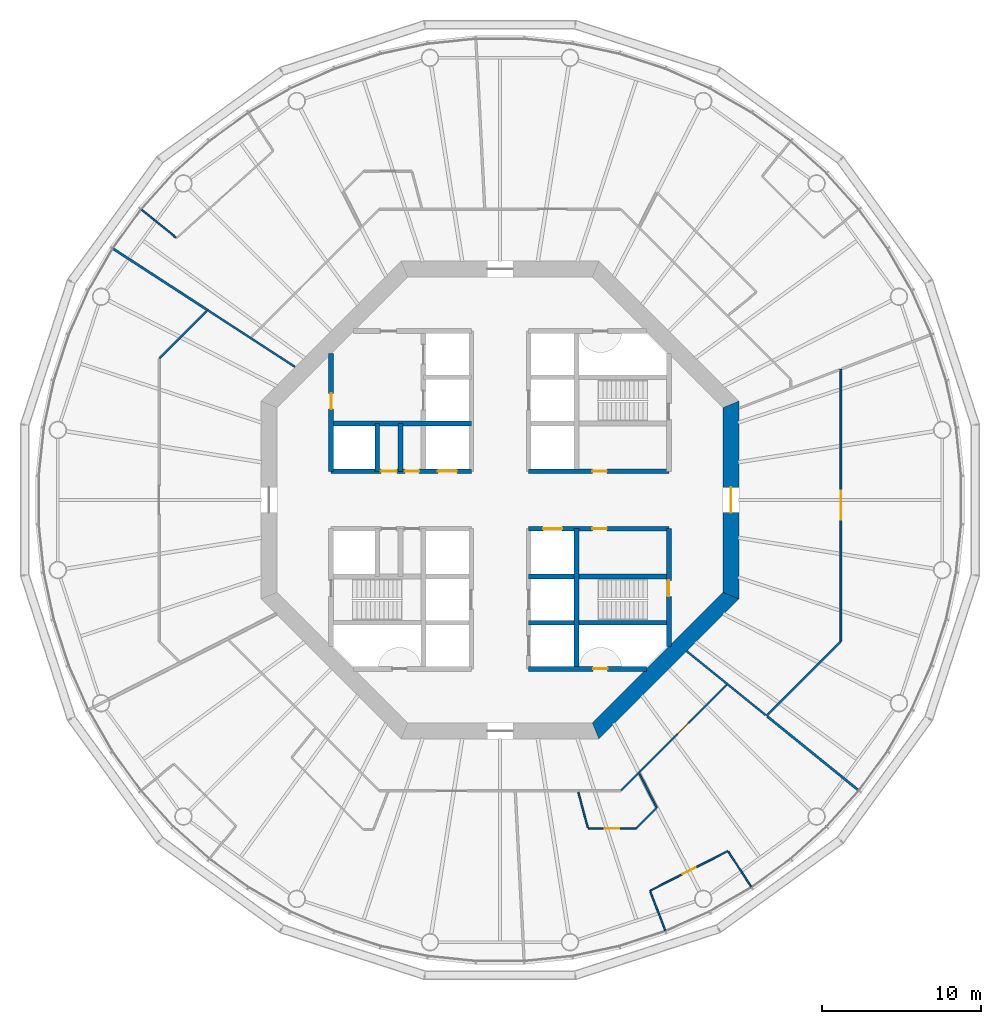
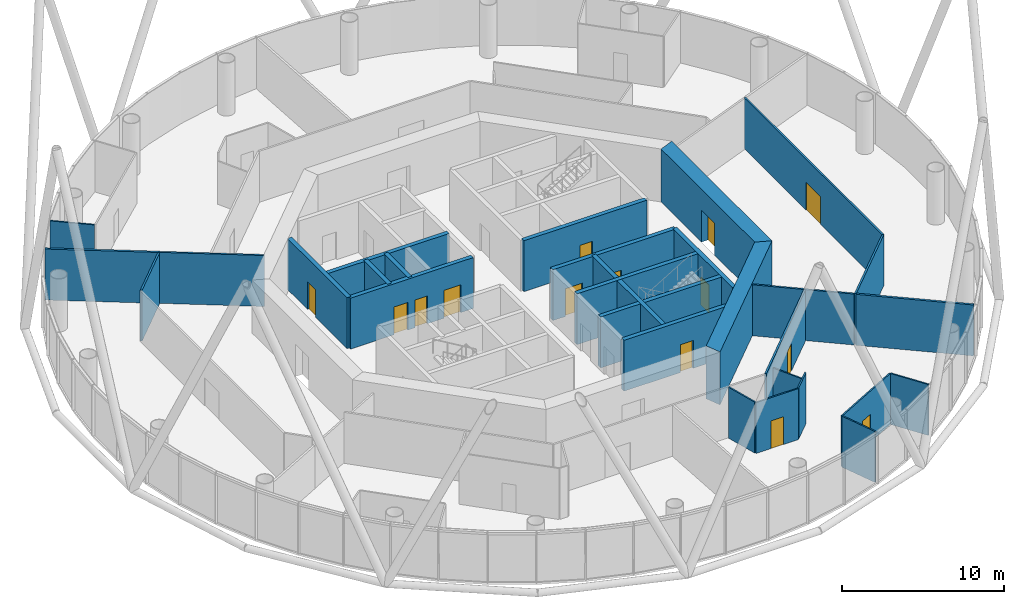
# One storey, part 4 of 13: 30 walls, 14 doors, 14 openings.
"""IFC4 building model written with IfcOpenShell, lengths in metres."""

from ifc_helpers import new_model, si_unit, direction, frame, frame_2d, origin, place, context, subcontext, project, spatial, polyline, rectangle, outline, extrude, material, layer, layer_set, type_object, element, fill, save


model = new_model("IFC4")

# Units and contexts
model_context = context("Model", 3, precision=1e-05, world=origin(), true_north=direction((0.0, 1.0)))
body_context = subcontext(model_context, "Body", "Model", "MODEL_VIEW")
ifc_project = project(units=[si_unit("LENGTHUNIT", "METRE"), si_unit("AREAUNIT", "SQUARE_METRE"), si_unit("VOLUMEUNIT", "CUBIC_METRE"), si_unit("PLANEANGLEUNIT", "RADIAN"), si_unit("MASSUNIT", "GRAM", prefix="KILO")], contexts=[model_context])

# Site, building, storey
site_placement = place(None, origin())
site = spatial("IfcSite", under=ifc_project, at=site_placement, CompositionType="ELEMENT")
building_placement = place(site_placement, origin())
building = spatial("IfcBuilding", under=site, at=building_placement, Name="Entoto Ring Tower", CompositionType="ELEMENT")
storey_placement = place(building_placement, frame((0.0, 0.0, 180.0)))
storey = spatial("IfcBuildingStorey", under=building, at=storey_placement, Name="L41", CompositionType="ELEMENT", Elevation=180.0)

# Wall, opening, door
ifc_material_1 = material(Name="Concrete C40/50", Category="concrete")
ifc_layer_1 = layer(ifc_material_1, 0.300048828125)
ifc_layer_set_1 = layer_set([ifc_layer_1], Name="Concrete C40/50")
wall_type_1 = type_object("IfcWallType", Name="Core enclosure wall 300 mm reinforced concrete", PredefinedType="SOLIDWALL", material=ifc_layer_set_1)
wall_1_placement = place(storey_placement, frame((100.60009765625, 70.801025390625, 0.0), z_axis=(0.0, 0.0, 1.0), x_axis=(0.0, 1.0, 0.0)))
wall_1 = element("IfcWall", 1, at=wall_1_placement, inside=storey, type_object=wall_type_1, Name="wall-L41-001", PredefinedType="SOLIDWALL", context=body_context, shape_type="SweptSolid", body=[
    extrude(rectangle(XDim=7.39892578125, YDim=0.300048828125, at=frame_2d((3.699462890625, 0.0))), origin(), (0.0, 0.0, 1.0), 3.85009765625),
])
opening_1_placement = place(wall_1_placement, frame((3.14892578125, 0.0, 0.0)))
opening_1 = element("IfcOpeningElement", 2, at=opening_1_placement, cuts=wall_1, Name="Opening K-61", PredefinedType="OPENING", context=body_context, shape_type="SweptSolid", body=[
    extrude(rectangle(XDim=1.0, YDim=2.10009765625, at=frame_2d((0.5, 1.050048828125))), frame((0.0, 0.16015625, 0.0), z_axis=(0.0, -1.0, 0.0), x_axis=(1.0, 0.0, 0.0)), (0.0, 0.0, 1.0), 0.320068359375),
])
ifc_material_2 = material(Name="Steel door leaf, fire rated", Category="steel")
ifc_layer_2 = layer(ifc_material_2, 0.050048828125)
ifc_layer_set_2 = layer_set([ifc_layer_2], Name="Steel door leaf, fire rated")
door_type_1 = type_object("IfcDoorType", Name="Fire door FD60 1000 x 2100 single leaf", OperationType="NOTDEFINED", PredefinedType="DOOR", material=ifc_layer_set_2)
door_1_placement = place(opening_1_placement, origin())
door_1 = element("IfcDoor", 3, at=door_1_placement, inside=storey, type_object=door_type_1, Name="Door K-61", OperationType="SINGLE_SWING_RIGHT", OverallHeight=2.10009765625, OverallWidth=1.0, PredefinedType="DOOR", context=body_context, shape_type="SweptSolid", body=[
    extrude(rectangle(XDim=1.0, YDim=2.10009765625, at=frame_2d((0.5, 1.050048828125))), frame((0.0, 0.02490234375, 0.0), z_axis=(0.0, -1.0, 0.0), x_axis=(1.0, 0.0, 0.0)), (0.0, 0.0, 1.0), 0.050048828125),
])
fill(opening_1, door_1)

# Walls
wall_2_placement = place(storey_placement, frame((94.800048828125, 69.39990234375, 0.0), z_axis=(0.0, 0.0, 1.0), x_axis=(0.0, 1.0, 0.0)))
element("IfcWall", 4, at=wall_2_placement, inside=storey, type_object=wall_type_1, Name="wall-L41-003", PredefinedType="SOLIDWALL", context=body_context, shape_type="SweptSolid", body=[
    extrude(rectangle(XDim=8.800048828125, YDim=0.300048828125, at=frame_2d((4.39990234375, 0.0))), origin(), (0.0, 0.0, 1.0), 3.85009765625),
])
for number, where, z_axis, x_axis, name in (
    (5, (83.75, 81.800048828125, 0.0), (0.0, 0.0, 1.0), (0.0, 1.0, 0.0), "wall-L41-012"),
    (6, (82.300048828125, 81.800048828125, 0.0), (0.0, 0.0, 1.0), (0.0, 1.0, 0.0), "wall-L41-014"),
):
    element("IfcWall", number, at=place(storey_placement, frame(where, z_axis=z_axis, x_axis=x_axis)), inside=storey, type_object=wall_type_1, Name=name, PredefinedType="SOLIDWALL", context=body_context, shape_type="SweptSolid", body=[
        extrude(rectangle(XDim=3.0, YDim=0.300048828125, at=frame_2d((1.5, 0.0))), origin(), (0.0, 0.0, 1.0), 3.85009765625),
    ])

# Wall, opening, door
wall_3_placement = place(storey_placement, frame((79.39990234375, 81.800048828125, 0.0), z_axis=(0.0, 0.0, 1.0), x_axis=(0.0, 1.0, 0.0)))
wall_3 = element("IfcWall", 7, at=wall_3_placement, inside=storey, type_object=wall_type_1, Name="wall-L41-016", PredefinedType="SOLIDWALL", context=body_context, shape_type="SweptSolid", body=[
    extrude(rectangle(XDim=7.39892578125, YDim=0.300048828125, at=frame_2d((3.699462890625, 0.0))), origin(), (0.0, 0.0, 1.0), 3.85009765625),
])
opening_2_placement = place(wall_3_placement, frame((3.89990234375, 0.0, 0.0)))
opening_2 = element("IfcOpeningElement", 8, at=opening_2_placement, cuts=wall_3, Name="Opening K-23", PredefinedType="OPENING", context=body_context, shape_type="SweptSolid", body=[
    extrude(rectangle(XDim=1.0, YDim=2.10009765625, at=frame_2d((0.5, 1.050048828125))), frame((0.0, 0.16015625, 0.0), z_axis=(0.0, -1.0, 0.0), x_axis=(1.0, 0.0, 0.0)), (0.0, 0.0, 1.0), 0.320068359375),
])
door_2_placement = place(opening_2_placement, frame((1.0, 0.0, 0.0), z_axis=(0.0, 0.0, 1.0), x_axis=(-1.0, 0.0, 0.0)))
door_2 = element("IfcDoor", 9, at=door_2_placement, inside=storey, type_object=door_type_1, Name="Door K-23", OperationType="SINGLE_SWING_RIGHT", OverallHeight=2.10009765625, OverallWidth=1.0, PredefinedType="DOOR", context=body_context, shape_type="SweptSolid", body=[
    extrude(rectangle(XDim=1.0, YDim=2.10009765625, at=frame_2d((0.5, 1.050048828125))), frame((0.0, 0.02490234375, 0.0), z_axis=(0.0, -1.0, 0.0), x_axis=(1.0, 0.0, 0.0)), (0.0, 0.0, 1.0), 0.050048828125),
])
fill(opening_2, door_2)

wall_4_placement = place(storey_placement, frame((91.800048828125, 69.39990234375, 0.0), z_axis=(0.0, 0.0, 1.0), x_axis=(1.0, 0.0, 0.0)))
wall_4 = element("IfcWall", 10, at=wall_4_placement, inside=storey, type_object=wall_type_1, Name="wall-L41-018", PredefinedType="SOLIDWALL", context=body_context, shape_type="SweptSolid", body=[
    extrude(rectangle(XDim=7.39892578125, YDim=0.300048828125, at=frame_2d((3.699462890625, 0.0))), origin(), (0.0, 0.0, 1.0), 3.85009765625),
])
opening_3_placement = place(wall_4_placement, frame((4.050048828125, 0.0, 0.0)))
opening_3 = element("IfcOpeningElement", 11, at=opening_3_placement, cuts=wall_4, Name="Opening K-68", PredefinedType="OPENING", context=body_context, shape_type="SweptSolid", body=[
    extrude(rectangle(XDim=0.89990234375, YDim=2.10009765625, at=frame_2d((0.449951171875, 1.050048828125))), frame((0.0, 0.16015625, 0.0), z_axis=(0.0, -1.0, 0.0), x_axis=(1.0, 0.0, 0.0)), (0.0, 0.0, 1.0), 0.320068359375),
])
ifc_material_3 = material(Name="Steel door leaf, fire rated", Category="steel")
ifc_layer_3 = layer(ifc_material_3, 0.050048828125)
ifc_layer_set_3 = layer_set([ifc_layer_3], Name="Steel door leaf, fire rated")
door_type_2 = type_object("IfcDoorType", Name="Riser door FD60 900 x 2100 single leaf", OperationType="NOTDEFINED", PredefinedType="DOOR", material=ifc_layer_set_3)
door_3_placement = place(opening_3_placement, origin())
door_3 = element("IfcDoor", 12, at=door_3_placement, inside=storey, type_object=door_type_2, Name="Door K-68", OperationType="SINGLE_SWING_LEFT", OverallHeight=2.10009765625, OverallWidth=0.89990234375, PredefinedType="DOOR", context=body_context, shape_type="SweptSolid", body=[
    extrude(rectangle(XDim=0.89990234375, YDim=2.10009765625, at=frame_2d((0.449951171875, 1.050048828125))), frame((0.0, 0.02490234375, 0.0), z_axis=(0.0, -1.0, 0.0), x_axis=(1.0, 0.0, 0.0)), (0.0, 0.0, 1.0), 0.050048828125),
])
fill(opening_3, door_3)

# Walls
for number, where, z_axis, x_axis, name in (
    (13, (91.800048828125, 72.300048828125, 0.0), (0.0, 0.0, 1.0), (1.0, 0.0, 0.0), "wall-L41-020"),
    (14, (91.800048828125, 75.199951171875, 0.0), (0.0, 0.0, 1.0), (1.0, 0.0, 0.0), "wall-L41-022"),
):
    element("IfcWall", number, at=place(storey_placement, frame(where, z_axis=z_axis, x_axis=x_axis)), inside=storey, type_object=wall_type_1, Name=name, PredefinedType="SOLIDWALL", context=body_context, shape_type="SweptSolid", body=[
        extrude(rectangle(XDim=8.800048828125, YDim=0.300048828125, at=frame_2d((4.39990234375, 0.0))), origin(), (0.0, 0.0, 1.0), 3.85009765625),
    ])

# Wall, openings, doors
wall_5_placement = place(storey_placement, frame((91.800048828125, 78.199951171875, 0.0), z_axis=(0.0, 0.0, 1.0), x_axis=(1.0, 0.0, 0.0)))
wall_5 = element("IfcWall", 15, at=wall_5_placement, inside=storey, type_object=wall_type_1, Name="wall-L41-024", PredefinedType="SOLIDWALL", context=body_context, shape_type="SweptSolid", body=[
    extrude(rectangle(XDim=8.800048828125, YDim=0.300048828125, at=frame_2d((4.39990234375, 0.0))), origin(), (0.0, 0.0, 1.0), 3.85009765625),
])
opening_4_placement = place(wall_5_placement, frame((0.89990234375, 0.0, 0.0)))
opening_4 = element("IfcOpeningElement", 16, at=opening_4_placement, cuts=wall_5, Name="Opening LD", PredefinedType="OPENING", context=body_context, shape_type="SweptSolid", body=[
    extrude(rectangle(XDim=1.199951171875, YDim=2.10009765625, at=frame_2d((0.60009765625, 1.050048828125))), frame((0.0, 0.16015625, 0.0), z_axis=(0.0, -1.0, 0.0), x_axis=(1.0, 0.0, 0.0)), (0.0, 0.0, 1.0), 0.320068359375),
])
opening_5_placement = place(wall_5_placement, frame((4.0, 0.0, 0.0)))
opening_5 = element("IfcOpeningElement", 17, at=opening_5_placement, cuts=wall_5, Name="Opening K-12", PredefinedType="OPENING", context=body_context, shape_type="SweptSolid", body=[
    extrude(rectangle(XDim=0.89990234375, YDim=2.10009765625, at=frame_2d((0.449951171875, 1.050048828125))), frame((0.0, 0.16015625, 0.0), z_axis=(0.0, -1.0, 0.0), x_axis=(1.0, 0.0, 0.0)), (0.0, 0.0, 1.0), 0.320068359375),
])
ifc_material_4 = material(Name="Steel door leaf, fire rated", Category="steel")
ifc_layer_4 = layer(ifc_material_4, 0.050048828125)
ifc_layer_set_4 = layer_set([ifc_layer_4], Name="Steel door leaf, fire rated")
door_type_3 = type_object("IfcDoorType", Name="Core door 900 x 2100 single leaf", OperationType="NOTDEFINED", PredefinedType="DOOR", material=ifc_layer_set_4)
door_4_placement = place(opening_5_placement, frame((0.89990234375, 0.0, 0.0), z_axis=(0.0, 0.0, 1.0), x_axis=(-1.0, 0.0, 0.0)))
door_4 = element("IfcDoor", 18, at=door_4_placement, inside=storey, type_object=door_type_3, Name="Door K-12", OperationType="SINGLE_SWING_RIGHT", OverallHeight=2.10009765625, OverallWidth=0.89990234375, PredefinedType="DOOR", context=body_context, shape_type="SweptSolid", body=[
    extrude(rectangle(XDim=0.89990234375, YDim=2.10009765625, at=frame_2d((0.449951171875, 1.050048828125))), frame((0.0, 0.02490234375, 0.0), z_axis=(0.0, -1.0, 0.0), x_axis=(1.0, 0.0, 0.0)), (0.0, 0.0, 1.0), 0.050048828125),
])
fill(opening_5, door_4)
ifc_material_5 = material(Name="Steel and glass door leaf", Category="steel")
ifc_layer_5 = layer(ifc_material_5, 0.050048828125)
ifc_layer_set_5 = layer_set([ifc_layer_5], Name="Steel and glass door leaf")
door_type_4 = type_object("IfcDoorType", Name="Landing door 1200 x 2100 sliding", OperationType="DOUBLE_DOOR_SLIDING", PredefinedType="DOOR", material=ifc_layer_set_5)
door_5_placement = place(opening_4_placement, origin())
door_5 = element("IfcDoor", 19, at=door_5_placement, inside=storey, type_object=door_type_4, Name="Landing door LB6-MR", OperationType="SLIDING_TO_LEFT", OverallHeight=2.10009765625, OverallWidth=1.199951171875, PredefinedType="DOOR", context=body_context, shape_type="SweptSolid", body=[
    extrude(rectangle(XDim=1.199951171875, YDim=2.10009765625, at=frame_2d((0.60009765625, 1.050048828125))), frame((0.0, 0.02490234375, 0.0), z_axis=(0.0, -1.0, 0.0), x_axis=(1.0, 0.0, 0.0)), (0.0, 0.0, 1.0), 0.050048828125),
])
fill(opening_4, door_5)

wall_6_placement = place(storey_placement, frame((79.39990234375, 81.800048828125, 0.0), z_axis=(0.0, 0.0, 1.0), x_axis=(1.0, 0.0, 0.0)))
wall_6 = element("IfcWall", 20, at=wall_6_placement, inside=storey, type_object=wall_type_1, Name="wall-L41-025", PredefinedType="SOLIDWALL", context=body_context, shape_type="SweptSolid", body=[
    extrude(rectangle(XDim=8.800048828125, YDim=0.300048828125, at=frame_2d((4.39990234375, 0.0))), origin(), (0.0, 0.0, 1.0), 3.85009765625),
])
opening_6_placement = place(wall_6_placement, frame((6.699951171875, 0.0, 0.0)))
opening_6 = element("IfcOpeningElement", 21, at=opening_6_placement, cuts=wall_6, Name="Opening LD", PredefinedType="OPENING", context=body_context, shape_type="SweptSolid", body=[
    extrude(rectangle(XDim=1.199951171875, YDim=2.10009765625, at=frame_2d((0.60009765625, 1.050048828125))), frame((0.0, 0.16015625, 0.0), z_axis=(0.0, -1.0, 0.0), x_axis=(1.0, 0.0, 0.0)), (0.0, 0.0, 1.0), 0.320068359375),
])
opening_7_placement = place(wall_6_placement, frame((3.125, 0.0, 0.0)))
opening_7 = element("IfcOpeningElement", 22, at=opening_7_placement, cuts=wall_6, Name="Opening K-13", PredefinedType="OPENING", context=body_context, shape_type="SweptSolid", body=[
    extrude(rectangle(XDim=1.0, YDim=2.10009765625, at=frame_2d((0.5, 1.050048828125))), frame((0.0, 0.16015625, 0.0), z_axis=(0.0, -1.0, 0.0), x_axis=(1.0, 0.0, 0.0)), (0.0, 0.0, 1.0), 0.320068359375),
])
opening_8_placement = place(wall_6_placement, frame((4.625, 0.0, 0.0)))
opening_8 = element("IfcOpeningElement", 23, at=opening_8_placement, cuts=wall_6, Name="Opening K-14", PredefinedType="OPENING", context=body_context, shape_type="SweptSolid", body=[
    extrude(rectangle(XDim=0.89990234375, YDim=2.10009765625, at=frame_2d((0.449951171875, 1.050048828125))), frame((0.0, 0.16015625, 0.0), z_axis=(0.0, -1.0, 0.0), x_axis=(1.0, 0.0, 0.0)), (0.0, 0.0, 1.0), 0.320068359375),
])
ifc_material_6 = material(Name="Steel door leaf, fire rated", Category="steel")
ifc_layer_6 = layer(ifc_material_6, 0.050048828125)
ifc_layer_set_6 = layer_set([ifc_layer_6], Name="Steel door leaf, fire rated")
door_type_5 = type_object("IfcDoorType", Name="Accessible door 1000 x 2100 single leaf", OperationType="NOTDEFINED", PredefinedType="DOOR", material=ifc_layer_set_6)
door_6_placement = place(opening_7_placement, origin())
door_6 = element("IfcDoor", 24, at=door_6_placement, inside=storey, type_object=door_type_5, Name="Door K-13", OperationType="SINGLE_SWING_RIGHT", OverallHeight=2.10009765625, OverallWidth=1.0, PredefinedType="DOOR", context=body_context, shape_type="SweptSolid", body=[
    extrude(rectangle(XDim=1.0, YDim=2.10009765625, at=frame_2d((0.5, 1.050048828125))), frame((0.0, 0.02490234375, 0.0), z_axis=(0.0, -1.0, 0.0), x_axis=(1.0, 0.0, 0.0)), (0.0, 0.0, 1.0), 0.050048828125),
])
fill(opening_7, door_6)
door_7_placement = place(opening_8_placement, origin())
door_7 = element("IfcDoor", 25, at=door_7_placement, inside=storey, type_object=door_type_3, Name="Door K-14", OperationType="SINGLE_SWING_RIGHT", OverallHeight=2.10009765625, OverallWidth=0.89990234375, PredefinedType="DOOR", context=body_context, shape_type="SweptSolid", body=[
    extrude(rectangle(XDim=0.89990234375, YDim=2.10009765625, at=frame_2d((0.449951171875, 1.050048828125))), frame((0.0, 0.02490234375, 0.0), z_axis=(0.0, -1.0, 0.0), x_axis=(1.0, 0.0, 0.0)), (0.0, 0.0, 1.0), 0.050048828125),
])
fill(opening_8, door_7)
door_8_placement = place(opening_6_placement, origin())
door_8 = element("IfcDoor", 26, at=door_8_placement, inside=storey, type_object=door_type_4, Name="Landing door LB5-MR", OperationType="SLIDING_TO_LEFT", OverallHeight=2.10009765625, OverallWidth=1.199951171875, PredefinedType="DOOR", context=body_context, shape_type="SweptSolid", body=[
    extrude(rectangle(XDim=1.199951171875, YDim=2.10009765625, at=frame_2d((0.60009765625, 1.050048828125))), frame((0.0, 0.02490234375, 0.0), z_axis=(0.0, -1.0, 0.0), x_axis=(1.0, 0.0, 0.0)), (0.0, 0.0, 1.0), 0.050048828125),
])
fill(opening_6, door_8)

# Wall, opening, door
wall_7_placement = place(storey_placement, frame((91.800048828125, 81.800048828125, 0.0), z_axis=(0.0, 0.0, 1.0), x_axis=(1.0, 0.0, 0.0)))
wall_7 = element("IfcWall", 27, at=wall_7_placement, inside=storey, type_object=wall_type_1, Name="wall-L41-026", PredefinedType="SOLIDWALL", context=body_context, shape_type="SweptSolid", body=[
    extrude(rectangle(XDim=8.800048828125, YDim=0.300048828125, at=frame_2d((4.39990234375, 0.0))), origin(), (0.0, 0.0, 1.0), 3.85009765625),
])
opening_9_placement = place(wall_7_placement, frame((4.0, 0.0, 0.0)))
opening_9 = element("IfcOpeningElement", 28, at=opening_9_placement, cuts=wall_7, Name="Opening K-11", PredefinedType="OPENING", context=body_context, shape_type="SweptSolid", body=[
    extrude(rectangle(XDim=0.89990234375, YDim=2.10009765625, at=frame_2d((0.449951171875, 1.050048828125))), frame((0.0, 0.16015625, 0.0), z_axis=(0.0, -1.0, 0.0), x_axis=(1.0, 0.0, 0.0)), (0.0, 0.0, 1.0), 0.320068359375),
])
door_9_placement = place(opening_9_placement, origin())
door_9 = element("IfcDoor", 29, at=door_9_placement, inside=storey, type_object=door_type_3, Name="Door K-11", OperationType="SINGLE_SWING_LEFT", OverallHeight=2.10009765625, OverallWidth=0.89990234375, PredefinedType="DOOR", context=body_context, shape_type="SweptSolid", body=[
    extrude(rectangle(XDim=0.89990234375, YDim=2.10009765625, at=frame_2d((0.449951171875, 1.050048828125))), frame((0.0, 0.02490234375, 0.0), z_axis=(0.0, -1.0, 0.0), x_axis=(1.0, 0.0, 0.0)), (0.0, 0.0, 1.0), 0.050048828125),
])
fill(opening_9, door_9)

# Wall
wall_8_placement = place(storey_placement, frame((79.39990234375, 84.800048828125, 0.0), z_axis=(0.0, 0.0, 1.0), x_axis=(1.0, 0.0, 0.0)))
element("IfcWall", 30, at=wall_8_placement, inside=storey, type_object=wall_type_1, Name="wall-L41-027", PredefinedType="SOLIDWALL", context=body_context, shape_type="SweptSolid", body=[
    extrude(rectangle(XDim=8.800048828125, YDim=0.300048828125, at=frame_2d((4.39990234375, 0.0))), origin(), (0.0, 0.0, 1.0), 3.85009765625),
])

# Wall, opening, door
ifc_material_7 = material(Name="Concrete C50/60", Category="concrete")
ifc_layer_7 = layer(ifc_material_7, 1.0)
ifc_layer_set_7 = layer_set([ifc_layer_7], Name="Concrete C50/60")
wall_type_2 = type_object("IfcWallType", Name="Core shear wall 1000 mm reinforced concrete C50/60", PredefinedType="SHEAR", material=ifc_layer_set_7)
wall_9_placement = place(storey_placement, frame((104.5, 73.993896484375, 0.0), z_axis=(0.0, 0.0, 1.0), x_axis=(0.0, 1.0, 0.0)))
wall_9 = element("IfcWall", 31, at=wall_9_placement, inside=storey, type_object=wall_type_2, Name="wall-L41-core-0", PredefinedType="SHEAR", context=body_context, shape_type="SweptSolid", body=[
    extrude(outline(polyline([(-0.20703125, -0.5), (12.21923828125, -0.5), (11.80517578125, 0.5), (0.20703125, 0.5), (-0.20703125, -0.5)])), origin(), (0.0, 0.0, 1.0), 4.0),
])
opening_10_placement = place(wall_9_placement, frame((5.2060546875, 0.0, 0.0)))
opening_10 = element("IfcOpeningElement", 32, at=opening_10_placement, cuts=wall_9, Name="Opening K-01", PredefinedType="OPENING", context=body_context, shape_type="SweptSolid", body=[
    extrude(rectangle(XDim=1.60009765625, YDim=2.39990234375, at=frame_2d((0.800048828125, 1.199951171875))), frame((0.0, 0.510009765625, 0.0), z_axis=(0.0, -1.0, 0.0), x_axis=(1.0, 0.0, 0.0)), (0.0, 0.0, 1.0), 1.02001953125),
])
ifc_material_8 = material(Name="Steel door leaf, fire rated", Category="steel")
ifc_layer_8 = layer(ifc_material_8, 0.050048828125)
ifc_layer_set_8 = layer_set([ifc_layer_8], Name="Steel door leaf, fire rated")
door_type_6 = type_object("IfcDoorType", Name="Entrance door FD60 1600 x 2400 double leaf", OperationType="DOUBLE_DOOR_SINGLE_SWING", PredefinedType="DOOR", material=ifc_layer_set_8)
door_10_placement = place(opening_10_placement, origin())
door_10 = element("IfcDoor", 33, at=door_10_placement, inside=storey, type_object=door_type_6, Name="Entrance door K-01", OperationType="DOUBLE_DOOR_SINGLE_SWING", OverallHeight=2.39990234375, OverallWidth=1.60009765625, PredefinedType="DOOR", context=body_context, shape_type="SweptSolid", body=[
    extrude(rectangle(XDim=1.60009765625, YDim=2.39990234375, at=frame_2d((0.800048828125, 1.199951171875))), frame((0.0, 0.02490234375, 0.0), z_axis=(0.0, -1.0, 0.0), x_axis=(1.0, 0.0, 0.0)), (0.0, 0.0, 1.0), 0.050048828125),
])
fill(opening_10, door_10)

# Wall
wall_10_placement = place(storey_placement, frame((96.006103515625, 65.5, 0.0), z_axis=(0.0, 0.0, 1.0), x_axis=(0.707106781187, 0.707106781187, 0.0)))
element("IfcWall", 34, at=wall_10_placement, inside=storey, type_object=wall_type_2, Name="wall-L41-core-7", PredefinedType="SHEAR", context=body_context, shape_type="SweptSolid", body=[
    extrude(outline(polyline([(-0.20703125, -0.5), (12.21923828125, -0.5), (11.80517578125, 0.5), (0.20703125, 0.5), (-0.20703125, -0.5)])), origin(), (0.0, 0.0, 1.0), 4.0),
])

# Wall, opening, door
ifc_material_9 = material(Name="Fire-resisting plasterboard on steel studs", Category="steel")
ifc_layer_9 = layer(ifc_material_9, 0.125)
ifc_layer_set_9 = layer_set([ifc_layer_9], Name="Fire-resisting plasterboard on steel studs")
wall_type_3 = type_object("IfcWallType", Name="Corridor wall 125 mm one-hour plasterboard on steel studs", PredefinedType="PARTITIONING", material=ifc_layer_set_9)
wall_11_placement = place(storey_placement, frame((111.39990234375, 71.1357421875, 0.0), z_axis=(0.0, 0.0, 1.0), x_axis=(0.0, 1.0, 0.0)))
wall_11 = element("IfcWall", 35, at=wall_11_placement, inside=storey, type_object=wall_type_3, Name="partition-L41-002", PredefinedType="PARTITIONING", context=body_context, shape_type="SweptSolid", body=[
    extrude(rectangle(XDim=17.078857421875, YDim=0.125, at=frame_2d((8.53955078125, 0.0))), origin(), (0.0, 0.0, 1.0), 3.85009765625),
])
opening_11_placement = place(wall_11_placement, frame((7.639404296875, 0.0, 0.0)))
opening_11 = element("IfcOpeningElement", 36, at=opening_11_placement, cuts=wall_11, Name="Opening A18-D01", PredefinedType="OPENING", context=body_context, shape_type="SweptSolid", body=[
    extrude(rectangle(XDim=1.800048828125, YDim=2.10009765625, at=frame_2d((0.89990234375, 1.050048828125))), frame((0.0, 0.072509765625, 0.0), z_axis=(0.0, -1.0, 0.0), x_axis=(1.0, 0.0, 0.0)), (0.0, 0.0, 1.0), 0.14501953125),
])
ifc_material_10 = material(Name="Fire-resisting timber door set", Category="wood")
door_type_7 = type_object("IfcDoorType", Name="Door 1800 x 2100 double leaf FD30S fire door", OperationType="DOUBLE_DOOR_SINGLE_SWING", PredefinedType="DOOR", material=ifc_material_10)
door_11_placement = place(opening_11_placement, frame((1.800048828125, 0.0, 0.0), z_axis=(0.0, 0.0, 1.0), x_axis=(-1.0, 0.0, 0.0)))
door_11 = element("IfcDoor", 37, at=door_11_placement, inside=storey, type_object=door_type_7, Name="Door A18-D01", OperationType="DOUBLE_DOOR_SINGLE_SWING", OverallHeight=2.10009765625, OverallWidth=1.800048828125, PredefinedType="DOOR", context=body_context, shape_type="SweptSolid", body=[
    extrude(rectangle(XDim=1.800048828125, YDim=2.10009765625, at=frame_2d((0.89990234375, 1.050048828125))), frame((0.0, 0.02490234375, 0.0), z_axis=(0.0, -1.0, 0.0), x_axis=(1.0, 0.0, 0.0)), (0.0, 0.0, 1.0), 0.050048828125),
])
fill(opening_11, door_11)

wall_12_placement = place(storey_placement, frame((97.595703125, 61.7685546875, 0.0), z_axis=(0.0, 0.0, 1.0), x_axis=(0.707093754284, 0.707119807849, 0.0)))
wall_12 = element("IfcWall", 38, at=wall_12_placement, inside=storey, type_object=wall_type_3, Name="partition-L41-008", PredefinedType="PARTITIONING", context=body_context, shape_type="SweptSolid", body=[
    extrude(rectangle(XDim=9.37060546875, YDim=0.125, at=frame_2d((4.685302734375, 0.0))), origin(), (0.0, 0.0, 1.0), 3.85009765625),
])
opening_12_placement = place(wall_12_placement, frame((5.013427734375, 0.0, 0.0)))
opening_12 = element("IfcOpeningElement", 39, at=opening_12_placement, cuts=wall_12, Name="Opening A18-D12", PredefinedType="OPENING", context=body_context, shape_type="SweptSolid", body=[
    extrude(rectangle(XDim=1.0, YDim=2.10009765625, at=frame_2d((0.5, 1.050048828125))), frame((0.0, 0.072509765625, 0.0), z_axis=(0.0, -1.0, 0.0), x_axis=(1.0, 0.0, 0.0)), (0.0, 0.0, 1.0), 0.14501953125),
])
ifc_material_11 = material(Name="Fire-resisting timber door set", Category="wood")
door_type_8 = type_object("IfcDoorType", Name="Door 1000 x 2100 single leaf FD30S fire door", OperationType="NOTDEFINED", PredefinedType="DOOR", material=ifc_material_11)
door_12_placement = place(opening_12_placement, frame((1.0, 0.0, 0.0), z_axis=(0.0, 0.0, 1.0), x_axis=(-1.0, 0.0, 0.0)))
door_12 = element("IfcDoor", 40, at=door_12_placement, inside=storey, type_object=door_type_8, Name="Door A18-D12", OperationType="SINGLE_SWING_LEFT", OverallHeight=2.10009765625, OverallWidth=1.0, PredefinedType="DOOR", context=body_context, shape_type="SweptSolid", body=[
    extrude(rectangle(XDim=1.0, YDim=2.10009765625, at=frame_2d((0.5, 1.050048828125))), frame((0.0, 0.02490234375, 0.0), z_axis=(0.0, -1.0, 0.0), x_axis=(1.0, 0.0, 0.0)), (0.0, 0.0, 1.0), 0.050048828125),
])
fill(opening_12, door_12)

# Walls
wall_13_placement = place(storey_placement, frame((106.722412109375, 66.45849609375, 0.0), z_axis=(0.0, 0.0, 1.0), x_axis=(0.707125358217, 0.707088203668, 0.0)))
element("IfcWall", 41, at=wall_13_placement, inside=storey, type_object=wall_type_3, Name="partition-L41-011", PredefinedType="PARTITIONING", context=body_context, shape_type="SweptSolid", body=[
    extrude(rectangle(XDim=6.571044921875, YDim=0.125, at=frame_2d((3.28564453125, 0.0))), origin(), (0.0, 0.0, 1.0), 3.85009765625),
])
wall_14_placement = place(storey_placement, frame((77.138916015625, 88.35205078125, 0.0), z_axis=(0.0, 0.0, 1.0), x_axis=(-0.838654973698, 0.544663047298, 0.0)))
element("IfcWall", 42, at=wall_14_placement, inside=storey, type_object=wall_type_3, Name="partition-L41-012", PredefinedType="PARTITIONING", context=body_context, shape_type="SweptSolid", body=[
    extrude(rectangle(XDim=6.54296875, YDim=0.125, at=frame_2d((3.271484375, 0.0))), origin(), (0.0, 0.0, 1.0), 3.85009765625),
])
wall_15_placement = place(storey_placement, frame((106.67431640625, 66.49755859375, 0.0), z_axis=(0.0, 0.0, 1.0), x_axis=(-0.777147622925, 0.629318339302, 0.0)))
element("IfcWall", 43, at=wall_15_placement, inside=storey, type_object=wall_type_3, Name="partition-L41-013", PredefinedType="PARTITIONING", context=body_context, shape_type="SweptSolid", body=[
    extrude(rectangle(XDim=6.373046875, YDim=0.125, at=frame_2d((3.1865234375, 0.0))), origin(), (0.0, 0.0, 1.0), 3.85009765625),
])
wall_16_placement = place(storey_placement, frame((68.631103515625, 88.895263671875, 0.0), z_axis=(0.0, 0.0, 1.0), x_axis=(0.707106781187, 0.707106781187, 0.0)))
element("IfcWall", 44, at=wall_16_placement, inside=storey, type_object=wall_type_3, Name="partition-L41-014", PredefinedType="PARTITIONING", context=body_context, shape_type="SweptSolid", body=[
    extrude(rectangle(XDim=4.181640625, YDim=0.125, at=frame_2d((2.0908203125, 0.0))), origin(), (0.0, 0.0, 1.0), 3.85009765625),
])

# Wall, opening, door
ifc_material_12 = material(Name="Plasterboard on steel studs", Category="steel")
ifc_layer_10 = layer(ifc_material_12, 0.10009765625)
ifc_layer_set_10 = layer_set([ifc_layer_10], Name="Plasterboard on steel studs")
wall_type_4 = type_object("IfcWallType", Name="Partition 100 mm plasterboard on steel studs", PredefinedType="PARTITIONING", material=ifc_layer_set_10)
wall_17_placement = place(storey_placement, frame((99.414306640625, 55.474853515625, 0.0), z_axis=(0.0, 0.0, 1.0), x_axis=(0.891014051246, 0.453975726754, 0.0)))
wall_17 = element("IfcWall", 45, at=wall_17_placement, inside=storey, type_object=wall_type_4, Name="partition-L41-027", PredefinedType="PARTITIONING", context=body_context, shape_type="SweptSolid", body=[
    extrude(rectangle(XDim=5.491943359375, YDim=0.10009765625, at=frame_2d((2.74609375, 0.0))), origin(), (0.0, 0.0, 1.0), 3.85009765625),
])
opening_13_placement = place(wall_17_placement, frame((2.2958984375, 0.0, 0.0)))
opening_13 = element("IfcOpeningElement", 46, at=opening_13_placement, cuts=wall_17, Name="Opening A18-D14", PredefinedType="OPENING", context=body_context, shape_type="SweptSolid", body=[
    extrude(rectangle(XDim=0.89990234375, YDim=2.10009765625, at=frame_2d((0.449951171875, 1.050048828125))), frame((0.0, 0.06005859375, 0.0), z_axis=(0.0, -1.0, 0.0), x_axis=(1.0, 0.0, 0.0)), (0.0, 0.0, 1.0), 0.1201171875),
])
ifc_material_13 = material(Name="Veneered timber door leaf in timber frame", Category="wood")
door_type_9 = type_object("IfcDoorType", Name="Door 900 x 2100 single leaf timber veneer", OperationType="NOTDEFINED", PredefinedType="DOOR", material=ifc_material_13)
door_13_placement = place(opening_13_placement, frame((0.89990234375, 0.0, 0.0), z_axis=(0.0, 0.0, 1.0), x_axis=(-1.0, 0.0, 0.0)))
door_13 = element("IfcDoor", 47, at=door_13_placement, inside=storey, type_object=door_type_9, Name="Door A18-D14", OperationType="SINGLE_SWING_LEFT", OverallHeight=2.10009765625, OverallWidth=0.89990234375, PredefinedType="DOOR", context=body_context, shape_type="SweptSolid", body=[
    extrude(rectangle(XDim=0.89990234375, YDim=2.10009765625, at=frame_2d((0.449951171875, 1.050048828125))), frame((0.0, 0.02490234375, 0.0), z_axis=(0.0, -1.0, 0.0), x_axis=(1.0, 0.0, 0.0)), (0.0, 0.0, 1.0), 0.050048828125),
])
fill(opening_13, door_13)

wall_18_placement = place(storey_placement, frame((95.523193359375, 59.387451171875, 0.0), z_axis=(0.0, 0.0, 1.0), x_axis=(1.0, 0.0, 0.0)))
wall_18 = element("IfcWall", 48, at=wall_18_placement, inside=storey, type_object=wall_type_4, Name="partition-L41-030", PredefinedType="PARTITIONING", context=body_context, shape_type="SweptSolid", body=[
    extrude(rectangle(XDim=3.014892578125, YDim=0.10009765625, at=frame_2d((1.50732421875, 0.0))), origin(), (0.0, 0.0, 1.0), 3.85009765625),
])
opening_14_placement = place(wall_18_placement, frame((1.057373046875, 0.0, 0.0)))
opening_14 = element("IfcOpeningElement", 49, at=opening_14_placement, cuts=wall_18, Name="Opening A18-D13", PredefinedType="OPENING", context=body_context, shape_type="SweptSolid", body=[
    extrude(rectangle(XDim=0.89990234375, YDim=2.10009765625, at=frame_2d((0.449951171875, 1.050048828125))), frame((0.0, 0.06005859375, 0.0), z_axis=(0.0, -1.0, 0.0), x_axis=(1.0, 0.0, 0.0)), (0.0, 0.0, 1.0), 0.1201171875),
])
door_14_placement = place(opening_14_placement, origin())
door_14 = element("IfcDoor", 50, at=door_14_placement, inside=storey, type_object=door_type_9, Name="Door A18-D13", OperationType="SINGLE_SWING_LEFT", OverallHeight=2.10009765625, OverallWidth=0.89990234375, PredefinedType="DOOR", context=body_context, shape_type="SweptSolid", body=[
    extrude(rectangle(XDim=0.89990234375, YDim=2.10009765625, at=frame_2d((0.449951171875, 1.050048828125))), frame((0.0, 0.02490234375, 0.0), z_axis=(0.0, -1.0, 0.0), x_axis=(1.0, 0.0, 0.0)), (0.0, 0.0, 1.0), 0.050048828125),
])
fill(opening_14, door_14)

# Walls
wall_19_placement = place(storey_placement, frame((69.66259765625, 96.468994140625, 0.0), z_axis=(0.0, 0.0, 1.0), x_axis=(-0.777166880901, 0.62929455681, 0.0)))
element("IfcWall", 51, at=wall_19_placement, inside=storey, type_object=wall_type_4, Name="partition-L41-032", PredefinedType="PARTITIONING", context=body_context, shape_type="SweptSolid", body=[
    extrude(rectangle(XDim=2.7705078125, YDim=0.10009765625, at=frame_2d((1.38525390625, 0.0))), origin(), (0.0, 0.0, 1.0), 3.85009765625),
])
for number, where, z_axis, x_axis, name in (
    (52, (100.37109375, 52.982177734375, 0.0), (0.0, 0.0, 1.0), (-0.358342155625, 0.933590327447, 0.0), "partition-L41-035"),
    (53, (105.761962890625, 55.72900390625, 0.0), (0.0, 0.0, 1.0), (-0.544683745229, 0.838641531099, 0.0), "partition-L41-036"),
):
    element("IfcWall", number, at=place(storey_placement, frame(where, z_axis=z_axis, x_axis=x_axis)), inside=storey, type_object=wall_type_4, Name=name, PredefinedType="PARTITIONING", context=body_context, shape_type="SweptSolid", body=[
        extrude(rectangle(XDim=2.620361328125, YDim=0.10009765625, at=frame_2d((1.31005859375, 0.0))), origin(), (0.0, 0.0, 1.0), 3.85009765625),
    ])
wall_20_placement = place(storey_placement, frame((95.510498046875, 59.43408203125, 0.0), z_axis=(0.0, 0.0, 1.0), x_axis=(-0.258788991174, 0.965933878714, 0.0)))
element("IfcWall", 54, at=wall_20_placement, inside=storey, type_object=wall_type_4, Name="partition-L41-045", PredefinedType="PARTITIONING", context=body_context, shape_type="SweptSolid", body=[
    extrude(rectangle(XDim=2.306640625, YDim=0.10009765625, at=frame_2d((1.1533203125, 0.0))), origin(), (0.0, 0.0, 1.0), 3.85009765625),
])
wall_21_placement = place(storey_placement, frame((98.562744140625, 59.412353515625, 0.0), z_axis=(0.0, 0.0, 1.0), x_axis=(0.707106781187, 0.707106781187, 0.0)))
element("IfcWall", 55, at=wall_21_placement, inside=storey, type_object=wall_type_4, Name="partition-L41-048", PredefinedType="PARTITIONING", context=body_context, shape_type="SweptSolid", body=[
    extrude(rectangle(XDim=1.758056640625, YDim=0.10009765625, at=frame_2d((0.87890625, 0.0))), origin(), (0.0, 0.0, 1.0), 3.85009765625),
])
ifc_material_14 = material(Name="Plasterboard on steel studs", Category="steel")
ifc_layer_11 = layer(ifc_material_14, 0.10009765625)
ifc_layer_set_11 = layer_set([ifc_layer_11], Name="Plasterboard on steel studs")
wall_type_5 = type_object("IfcWallType", Name="Partition 100 mm plasterboard on steel studs, 3250 mm high", PredefinedType="PARTITIONING", material=ifc_layer_set_11)
wall_22_placement = place(storey_placement, frame((99.839599609375, 60.68896484375, 0.0), z_axis=(0.0, 0.0, 1.0), x_axis=(-0.454026812412, 0.890988021026, 0.0)))
element("IfcWall", 56, at=wall_22_placement, inside=storey, type_object=wall_type_5, Name="partition-L41-042", PredefinedType="PARTITIONING", context=body_context, shape_type="SweptSolid", body=[
    extrude(rectangle(XDim=2.38916015625, YDim=0.10009765625, at=frame_2d((1.194580078125, 0.0))), origin(), (0.0, 0.0, 1.0), 3.25),
])
ifc_material_15 = material(Name="Fire-resisting acoustic plasterboard on steel studs", Category="steel")
ifc_layer_12 = layer(ifc_material_15, 0.14990234375)
ifc_layer_set_12 = layer_set([ifc_layer_12], Name="Fire-resisting acoustic plasterboard on steel studs")
wall_type_6 = type_object("IfcWallType", Name="Party wall 150 mm one-hour acoustic plasterboard on steel studs", PredefinedType="PARTITIONING", material=ifc_layer_set_12)
wall_23_placement = place(storey_placement, frame((112.490478515625, 61.78759765625, 0.0), z_axis=(0.0, 0.0, 1.0), x_axis=(-0.777145090465, 0.629321466634, 0.0)))
element("IfcWall", 57, at=wall_23_placement, inside=storey, type_object=wall_type_6, Name="partition-L41-019", PredefinedType="PARTITIONING", context=body_context, shape_type="SweptSolid", body=[
    extrude(rectangle(XDim=7.35107421875, YDim=0.14990234375, at=frame_2d((3.675537109375, 0.0))), origin(), (0.0, 0.0, 1.0), 3.85009765625),
])
wall_24_placement = place(storey_placement, frame((71.651611328125, 91.915771484375, 0.0), z_axis=(0.0, 0.0, 1.0), x_axis=(-0.838670233223, 0.544639550443, 0.0)))
element("IfcWall", 58, at=wall_24_placement, inside=storey, type_object=wall_type_6, Name="partition-L41-020", PredefinedType="PARTITIONING", context=body_context, shape_type="SweptSolid", body=[
    extrude(rectangle(XDim=7.06201171875, YDim=0.14990234375, at=frame_2d((3.531005859375, 0.0))), origin(), (0.0, 0.0, 1.0), 3.85009765625),
])

save(model, "model.ifc")
